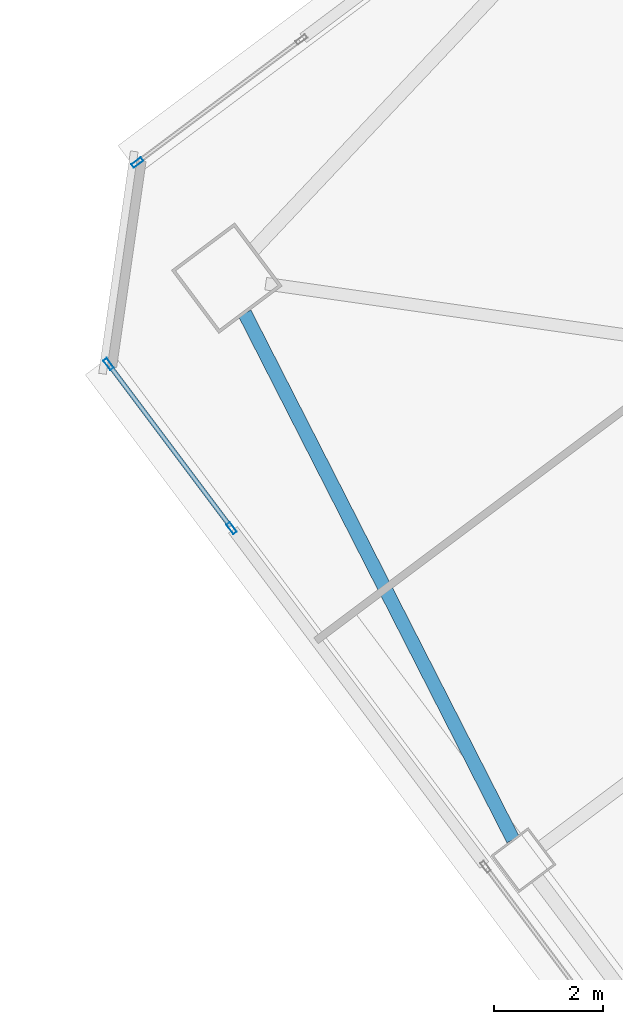
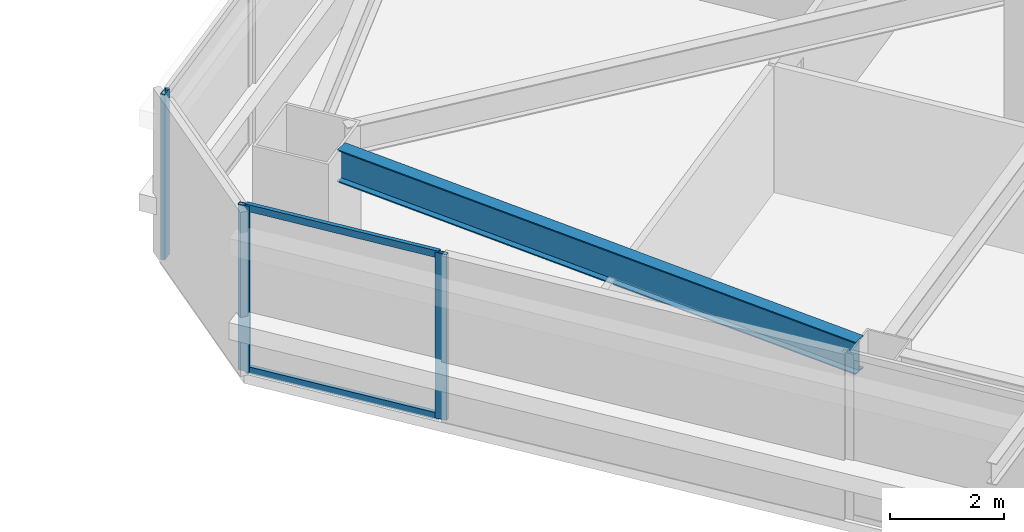
# One storey, part 23 of 47: 5 members, 1 beam, 2 elements without a shape of their own.
"""IFC4 building model written with IfcOpenShell, lengths in metres."""

import ifcopenshell
import ifcopenshell.guid

model = None  # the IFC model being written
_history = None  # IfcOwnerHistory: only IFC2X3 demands one
_inside = {}  # id of a spatial element -> (the spatial element, [elements in it])
_under = {}  # id of a project, library or spatial element -> (it, [spatial elements below it])
_declared = {}  # id of a project -> (the project, [libraries it declares])
_typed = {}  # id of a type object -> (the type object, [elements of that type])
_made_of = {}  # id of a material, layer set ... -> (it, [elements and type objects made of it])


def new_model(schema):
    """Start an empty IFC model of exactly this schema.

    Asked for "IFC4X3", IfcOpenShell would pick the latest addendum, in which some entities
    have other attributes; the version numbers below select the first issue.
    IFC2X3 requires an IfcOwnerHistory on every rooted entity: one is made here for all.
    """
    global model, _history
    if schema == "IFC4X3":
        model = ifcopenshell.file(schema_version=(4, 3, 0, 0))
    else:
        model = ifcopenshell.file(schema=schema)
    _inside.clear()
    _under.clear()
    _declared.clear()
    _typed.clear()
    _made_of.clear()
    _history = None
    if model.schema == "IFC2X3":
        org = make("IfcOrganization", Name="unknown")
        user = make(
            "IfcPersonAndOrganization",
            ThePerson=make("IfcPerson", FamilyName="unknown"),
            TheOrganization=org,
        )
        app = make(
            "IfcApplication",
            ApplicationDeveloper=org,
            Version="unknown",
            ApplicationFullName="unknown",
            ApplicationIdentifier="unknown",
        )
        _history = make(
            "IfcOwnerHistory",
            OwningUser=user,
            OwningApplication=app,
            ChangeAction="ADDED",
            CreationDate=0,
        )
    return model


def make(cls, **values):
    """One entity of the class cls with the attributes given. An attribute that is None is left unset."""
    return model.create_entity(
        cls, **{name: value for name, value in values.items() if value is not None}
    )


def rooted(cls, **values):
    """An entity with a GlobalId (a new one), such as an element, a storey or a relation."""
    return make(cls, GlobalId=ifcopenshell.guid.new(), OwnerHistory=_history, **values)


def si_unit(unit_type, name, prefix=None):
    """IfcSIUnit, for example si_unit("LENGTHUNIT", "METRE", prefix="MILLI")."""
    return make("IfcSIUnit", UnitType=unit_type, Prefix=prefix, Name=name)


def assignment(units):
    """IfcUnitAssignment: the units of a project."""
    return None if units is None else make("IfcUnitAssignment", Units=units)


def point(xyz):
    """IfcCartesianPoint."""
    return None if xyz is None else make("IfcCartesianPoint", Coordinates=xyz)


def direction(xyz):
    """IfcDirection."""
    return None if xyz is None else make("IfcDirection", DirectionRatios=xyz)


def frame(location, z_axis=None, x_axis=None):
    """IfcAxis2Placement3D, a coordinate frame: its origin and axes. An axis left out is left unset."""
    return make(
        "IfcAxis2Placement3D",
        Location=point(location),
        Axis=direction(z_axis),
        RefDirection=direction(x_axis),
    )


def frame_2d(location, x_axis=None):
    """IfcAxis2Placement2D, a coordinate frame in the plane: its origin and x axis."""
    return make(
        "IfcAxis2Placement2D", Location=point(location), RefDirection=direction(x_axis)
    )


def origin():
    """The frame at (0, 0, 0) with its axes left unset."""
    return frame((0.0, 0.0, 0.0))


def origin_2d():
    """The frame at (0, 0) in the plane with its x axis left unset."""
    return frame_2d((0.0, 0.0))


def place(relative_to, where):
    """IfcLocalPlacement: puts the frame where relative to a parent placement (None: the world)."""
    return make(
        "IfcLocalPlacement", PlacementRelTo=relative_to, RelativePlacement=where
    )


def context(
    kind, dimensions, precision=None, world=None, true_north=None, identifier=None
):
    """IfcGeometricRepresentationContext, for example the 3D "Model" context."""
    return make(
        "IfcGeometricRepresentationContext",
        ContextIdentifier=identifier,
        ContextType=kind,
        CoordinateSpaceDimension=dimensions,
        Precision=precision,
        WorldCoordinateSystem=world,
        TrueNorth=true_north,
    )


def subcontext(parent, identifier, kind, view, scale=None):
    """IfcGeometricRepresentationSubContext, for example "Body" below "Model"."""
    return make(
        "IfcGeometricRepresentationSubContext",
        ContextIdentifier=identifier,
        ContextType=kind,
        ParentContext=parent,
        TargetScale=scale,
        TargetView=view,
    )


def project(units=None, contexts=None):
    """IfcProject with its units and contexts."""
    return rooted(
        "IfcProject",
        Name="project",
        RepresentationContexts=contexts,
        UnitsInContext=assignment(units),
    )


def spatial(cls, under=None, at=None, **own):
    """A site, building, storey or space (cls), placed at a placement, below another one or the project."""
    s = rooted(cls, ObjectPlacement=at, **own)
    if under is not None:
        _under.setdefault(under.id(), (under, []))[1].append(s)
    return s


def profile(cls, at=None, kind="AREA", **sizes):
    """A parametric profile (cls). Its sizes go by their IFC names, for example OverallWidth=200.0."""
    return make(cls, ProfileType=kind, Position=at, **sizes)


def hollow_rectangle(**sizes):
    """IfcRectangleHollowProfileDef."""
    return profile("IfcRectangleHollowProfileDef", **sizes)


def i_section(**sizes):
    """IfcIShapeProfileDef."""
    return profile("IfcIShapeProfileDef", **sizes)


def extrude(swept, where, along, depth):
    """IfcExtrudedAreaSolid: the profile swept, set in the frame where, extruded along a direction by depth."""
    return make(
        "IfcExtrudedAreaSolid",
        SweptArea=swept,
        Position=where,
        ExtrudedDirection=direction(along),
        Depth=depth,
    )


def shape(context_of_items, identifier, shape_type, items):
    """IfcShapeRepresentation: the items that make up one representation, for example the "Body"."""
    return make(
        "IfcShapeRepresentation",
        ContextOfItems=context_of_items,
        RepresentationIdentifier=identifier,
        RepresentationType=shape_type,
        Items=items,
    )


def material(Name=None, Category=None):
    """IfcMaterial."""
    return make("IfcMaterial", Name=Name, Category=Category)


def material_profile(
    of_material, cross_section, Name=None, Category=None, Priority=None
):
    """IfcMaterialProfile: a cross section and its material."""
    return make(
        "IfcMaterialProfile",
        Name=Name,
        Material=of_material,
        Profile=cross_section,
        Priority=Priority,
        Category=Category,
    )


def profile_set(profiles, Name=None, composite=None):
    """IfcMaterialProfileSet."""
    return make(
        "IfcMaterialProfileSet",
        Name=Name,
        MaterialProfiles=profiles,
        CompositeProfile=composite,
    )


def made_of(thing, what):
    """Note that an element or type object is made of a material, layer set ...; save() writes the relation."""
    if what is not None:
        _made_of.setdefault(what.id(), (what, []))[1].append(thing)
    return thing


def type_object(cls, material=None, **own):
    """A type object (cls), such as IfcWallType, which elements share."""
    return made_of(rooted(cls, **own), material)


def element(
    cls,
    number,
    at=None,
    inside=None,
    cuts=None,
    type_object=None,
    material=None,
    context=None,
    identifier="Body",
    shape_type=None,
    held_by="IfcProductDefinitionShape",
    body=None,
    shapes=None,
    **own,
):
    """One element of the class cls, such as IfcWall. Its Tag is "e" and its number.

    at: its placement. inside: the storey or other place that contains it. cuts: it is an
    opening in that element (IfcRelVoidsElement). A single representation is given by context,
    identifier, shape_type and body (its items); several are given by shapes. held_by: the class
    of the entity that holds the representations. save() writes the other relations.
    """
    e = rooted(cls, Tag="e%d" % number, ObjectPlacement=at, **own)
    if body is not None:
        shapes = [shape(context, identifier, shape_type, body)]
    if shapes is not None:
        e.Representation = make(held_by, Representations=shapes)
    if inside is not None:
        _inside.setdefault(inside.id(), (inside, []))[1].append(e)
    if cuts is not None:
        rooted(
            "IfcRelVoidsElement", RelatingBuildingElement=cuts, RelatedOpeningElement=e
        )
    if type_object is not None:
        _typed.setdefault(type_object.id(), (type_object, []))[1].append(e)
    return made_of(e, material)


def aggregate(whole, parts):
    """IfcRelAggregates: a whole, such as a stair, and the parts it consists of."""
    return rooted("IfcRelAggregates", RelatingObject=whole, RelatedObjects=parts)


def save(model, path):
    """Write the relations noted so far, then the file.

    IfcRelAggregates (storeys below a building ...), IfcRelContainedInSpatialStructure (elements
    in a storey), IfcRelDefinesByType, IfcRelAssociatesMaterial and IfcRelDeclares: one each for
    every whole, place, type object, material and project.
    """
    for whole, parts in _under.values():
        aggregate(whole, parts)
    for where, things in _inside.values():
        rooted(
            "IfcRelContainedInSpatialStructure",
            RelatedElements=things,
            RelatingStructure=where,
        )
    for kind, things in _typed.values():
        rooted("IfcRelDefinesByType", RelatedObjects=things, RelatingType=kind)
    for what, things in _made_of.values():
        rooted("IfcRelAssociatesMaterial", RelatedObjects=things, RelatingMaterial=what)
    for by, libraries in _declared.values():
        rooted("IfcRelDeclares", RelatingContext=by, RelatedDefinitions=libraries)
    model.write(path)


model = new_model("IFC4")

# Units and contexts
model_context = context("Model", 3, precision=1e-05, world=origin(), true_north=direction((0.0, 1.0)))
body_context = subcontext(model_context, "Body", "Model", "MODEL_VIEW")
ifc_project = project(units=[si_unit("LENGTHUNIT", "METRE"), si_unit("AREAUNIT", "SQUARE_METRE"), si_unit("VOLUMEUNIT", "CUBIC_METRE"), si_unit("PLANEANGLEUNIT", "RADIAN"), si_unit("MASSUNIT", "GRAM", prefix="KILO")], contexts=[model_context])

# Site, building, storey
site_placement = place(None, origin())
site = spatial("IfcSite", under=ifc_project, at=site_placement, CompositionType="ELEMENT")
building_placement = place(site_placement, origin())
building = spatial("IfcBuilding", under=site, at=building_placement, Name="Tashvorn Skyway Center", CompositionType="ELEMENT")
storey_placement = place(building_placement, frame((0.0, 0.0, 81.39990234375)))
storey = spatial("IfcBuildingStorey", under=building, at=storey_placement, Name="L21", CompositionType="ELEMENT", Elevation=81.39990234375)

# Beam
ifc_material_1 = material(Name="Steel ASTM A992 Grade 50", Category="steel")
ifc_material_profile_1 = material_profile(ifc_material_1, i_section(OverallWidth=0.256103515625, OverallDepth=0.693115234375, WebThickness=0.014404296875, FlangeThickness=0.023681640625, at=origin_2d()), Name="W27X114")
ifc_profile_set_1 = profile_set([ifc_material_profile_1], Name="Steel ASTM A992 Grade 50")
beam_type = type_object("IfcBeamType", Name="BM-SPANDREL-W27X114", PredefinedType="SPANDREL", material=ifc_profile_set_1)
beam_placement = place(storey_placement, frame((90.2470703125, 34.798583984375, 3.003662109375), z_axis=(0.454210938961, -0.890894170442, 0.0), x_axis=(0.890894170442, 0.454210938961, 0.0)))
element("IfcBeam", 1, at=beam_placement, inside=storey, type_object=beam_type, Name="Tower 2 L21 Spandrel Beam 10", PredefinedType="SPANDREL", context=body_context, shape_type="SweptSolid", body=[
    extrude(i_section(OverallWidth=0.256103515625, OverallDepth=0.693115234375, WebThickness=0.014404296875, FlangeThickness=0.023681640625, at=origin_2d()), origin(), (0.0, 0.0, 1.0), 10.836669921875),
])

# Curtain wall, members
ifc_material_2 = material(Name="Thermally broken bronze-anodized aluminium 6063-T6", Category="aluminium")
curtain_wall_type = type_object("IfcCurtainWallType", Name="CW-CW-Z2", PredefinedType="NOTDEFINED", material=ifc_material_2)
curtain_wall_1_placement = place(storey_placement, origin())
curtain_wall_1 = element("IfcCurtainWall", 2, at=curtain_wall_1_placement, inside=storey, type_object=curtain_wall_type, Name="Tower 2 L21 West Unitised Curtain Wall Glazing Group 3", PredefinedType="NOTDEFINED")
ifc_material_profile_2 = material_profile(ifc_material_2, hollow_rectangle(XDim=0.080078125, YDim=0.219970703125, WallThickness=0.0048828125, at=origin_2d()), Name="ALU-MULL-80x220")
ifc_profile_set_2 = profile_set([ifc_material_profile_2], Name="Thermally broken bronze-anodized aluminium 6063-T6")
member_type_1 = type_object("IfcMemberType", Name="CWM-CW-Z2", PredefinedType="MULLION", material=ifc_profile_set_2)
member_1_placement = place(storey_placement, frame((90.008056640625, 30.85595703125, 0.0), z_axis=(0.0, 0.0, 1.0), x_axis=(-0.799999999998, -0.600000000002, 0.0)))
member_1 = element("IfcMember", 3, at=member_1_placement, type_object=member_type_1, Name="CW-Z2 mullion 1", PredefinedType="MULLION", context=body_context, shape_type="SweptSolid", body=[
    extrude(hollow_rectangle(XDim=0.080078125, YDim=0.219970703125, WallThickness=0.0048828125, at=origin_2d()), origin(), (0.0, 0.0, 1.0), 3.550048828125),
])
member_2_placement = place(storey_placement, frame((87.751953125, 33.864013671875, 0.0), z_axis=(0.0, 0.0, 1.0), x_axis=(-0.799999999998, -0.600000000002, 0.0)))
member_2 = element("IfcMember", 4, at=member_2_placement, type_object=member_type_1, Name="CW-Z2 mullion 2", PredefinedType="MULLION", context=body_context, shape_type="SweptSolid", body=[
    extrude(hollow_rectangle(XDim=0.080078125, YDim=0.219970703125, WallThickness=0.0048828125, at=origin_2d()), origin(), (0.0, 0.0, 1.0), 3.550048828125),
])

# Curtain wall, member
curtain_wall_2_placement = place(storey_placement, origin())
curtain_wall_2 = element("IfcCurtainWall", 5, at=curtain_wall_2_placement, inside=storey, type_object=curtain_wall_type, Name="Tower 2 L21 North Unitised Curtain Wall Glazing Group 1", PredefinedType="NOTDEFINED")
member_3_placement = place(storey_placement, frame((88.280029296875, 37.56005859375, 0.0), z_axis=(0.0, 0.0, 1.0), x_axis=(-0.600000000002, 0.799999999998, 0.0)))
member_3 = element("IfcMember", 6, at=member_3_placement, type_object=member_type_1, Name="CW-Z2 mullion 1", PredefinedType="MULLION", context=body_context, shape_type="SweptSolid", body=[
    extrude(hollow_rectangle(XDim=0.080078125, YDim=0.219970703125, WallThickness=0.0048828125, at=origin_2d()), origin(), (0.0, 0.0, 1.0), 3.550048828125),
])
aggregate(curtain_wall_2, [member_3])

# Member
ifc_material_profile_3 = material_profile(ifc_material_2, hollow_rectangle(XDim=0.080078125, YDim=0.14990234375, WallThickness=0.00439453125, at=origin_2d()), Name="ALU-TRAN-80x150")
ifc_profile_set_3 = profile_set([ifc_material_profile_3], Name="Thermally broken bronze-anodized aluminium 6063-T6")
member_type_2 = type_object("IfcMemberType", Name="CWT-CW-Z2", PredefinedType="USERDEFINED", material=ifc_profile_set_3)
member_4_placement = place(storey_placement, frame((89.98388671875, 30.887939453125, 0.0400390625), z_axis=(-0.599989385363, 0.800007960868, 0.0), x_axis=(-0.800007960868, -0.599989385363, 0.0)))
member_4 = element("IfcMember", 7, at=member_4_placement, type_object=member_type_2, Name="CW-Z2 transom 1.1", ObjectType="TRANSOM", PredefinedType="USERDEFINED", context=body_context, shape_type="SweptSolid", body=[
    extrude(hollow_rectangle(XDim=0.080078125, YDim=0.14990234375, WallThickness=0.00439453125, at=origin_2d()), origin(), (0.0, 0.0, 1.0), 3.68017578125),
])

member_5_placement = place(storey_placement, frame((89.98388671875, 30.887939453125, 3.510009765625), z_axis=(-0.599989385363, 0.800007960868, 0.0), x_axis=(-0.800007960868, -0.599989385363, 0.0)))
member_5 = element("IfcMember", 8, at=member_5_placement, type_object=member_type_2, Name="CW-Z2 transom 1.2", ObjectType="TRANSOM", PredefinedType="USERDEFINED", context=body_context, shape_type="SweptSolid", body=[
    extrude(hollow_rectangle(XDim=0.080078125, YDim=0.14990234375, WallThickness=0.00439453125, at=origin_2d()), origin(), (0.0, 0.0, 1.0), 3.68017578125),
])

aggregate(curtain_wall_1, [member_1, member_2, member_4, member_5])

save(model, "model.ifc")
